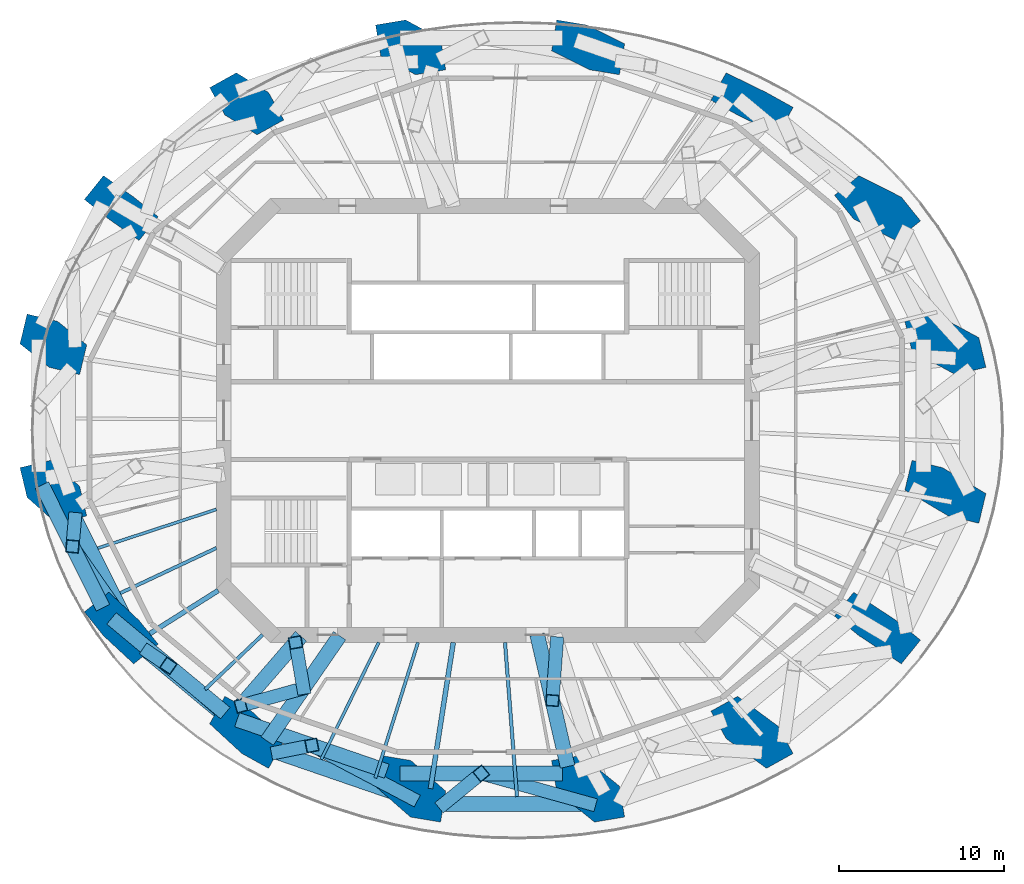
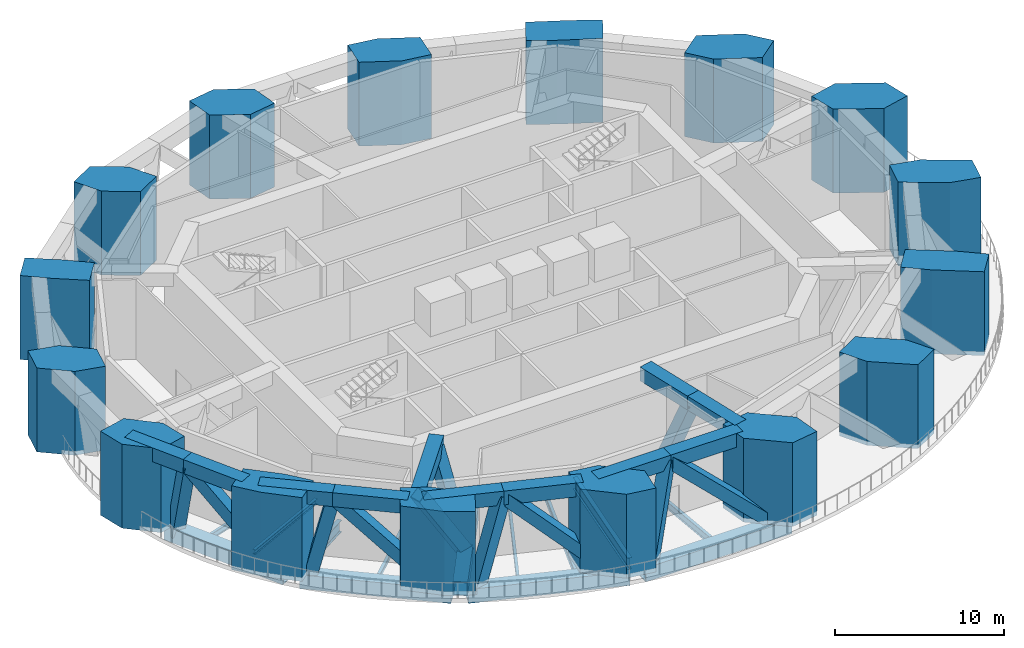
# One storey, part 1 of 11: 28 members, 16 columns, 8 beams.
"""IFC4 building model written with IfcOpenShell, lengths in metres."""

from ifc_helpers import new_model, si_unit, direction, frame, origin, origin_2d, place, context, subcontext, project, spatial, polyline, rectangle, hollow_rectangle, i_section, outline, extrude, material, material_profile, profile_set, type_object, element, save


model = new_model("IFC4")

# Units and contexts
model_context = context("Model", 3, precision=1e-05, world=origin(), true_north=direction((0.0, 1.0)))
body_context = subcontext(model_context, "Body", "Model", "MODEL_VIEW")
ifc_project = project(units=[si_unit("LENGTHUNIT", "METRE"), si_unit("AREAUNIT", "SQUARE_METRE"), si_unit("VOLUMEUNIT", "CUBIC_METRE"), si_unit("PLANEANGLEUNIT", "RADIAN"), si_unit("MASSUNIT", "GRAM", prefix="KILO")], contexts=[model_context])

# Site, building, storey
site_placement = place(None, origin())
site = spatial("IfcSite", under=ifc_project, at=site_placement, CompositionType="ELEMENT")
building_placement = place(site_placement, origin())
building = spatial("IfcBuilding", under=site, at=building_placement, Name="Marenthal Gate Tower", CompositionType="ELEMENT")
storey_placement = place(building_placement, frame((0.0, 0.0, 273.10009765625)))
storey = spatial("IfcBuildingStorey", under=building, at=storey_placement, Name="L61", CompositionType="ELEMENT", Elevation=273.10009765625)

# Columns
ifc_material_1 = material(Name="Steel S460", Category="steel")
ifc_material_profile_1 = material_profile(ifc_material_1, hollow_rectangle(XDim=1.85009765625, YDim=1.89990234375, WallThickness=0.06494140625, at=origin_2d()), Name="CFT BOX 1900X1850X65")
ifc_material_2 = material(Name="Concrete 70 MPa", Category="concrete")
ifc_material_profile_2 = material_profile(ifc_material_2, rectangle(XDim=1.719970703125, YDim=1.77001953125, at=origin_2d()), Name="CFT BOX 1900X1850X65 INFILL")
ifc_profile_set_1 = profile_set([ifc_material_profile_1, ifc_material_profile_2], Name="Steel S460 shell, Concrete 70 MPa infill")
column_type = type_object("IfcColumnType", Name="CFT BOX 1900X1850X65", PredefinedType="COLUMN", material=ifc_profile_set_1)
column_1_placement = place(storey_placement, frame((0.0, 0.0, -0.300048828125)))
element("IfcColumn", 1, at=column_1_placement, inside=storey, type_object=column_type, Name="COL-L61-01", PredefinedType="COLUMN", context=body_context, shape_type="SweptSolid", body=[
    extrude(outline(polyline([(28.338623046875, 2.783447265625), (25.7041015625, 4.21240234375), (25.2734375, 6.011474609375), (27.121337890625, 6.45361328125), (29.755859375, 5.02490234375), (30.186279296875, 3.2255859375), (28.338623046875, 2.783447265625)])), origin(), (0.0, 0.0, 1.0), 6.050048828125),
])
column_2_placement = place(storey_placement, frame((0.0, 0.0, -0.300048828125)))
element("IfcColumn", 2, at=column_2_placement, inside=storey, type_object=column_type, Name="COL-L61-02", PredefinedType="COLUMN", context=body_context, shape_type="SweptSolid", body=[
    extrude(outline(polyline([(24.73828125, 10.910888671875), (22.169921875, 12.2080078125), (21.0107421875, 13.64990234375), (22.491455078125, 14.84033203125), (25.059814453125, 13.543212890625), (26.218994140625, 12.101318359375), (24.73828125, 10.910888671875)])), origin(), (0.0, 0.0, 1.0), 6.050048828125),
])
column_3_placement = place(storey_placement, frame((0.0, 0.0, -0.300048828125)))
element("IfcColumn", 3, at=column_3_placement, inside=storey, type_object=column_type, Name="COL-L61-03", PredefinedType="COLUMN", context=body_context, shape_type="SweptSolid", body=[
    extrude(outline(polyline([(17.581787109375, 17.3173828125), (15.1357421875, 18.513916015625), (13.518310546875, 19.412109375), (14.440673828125, 21.072998046875), (16.88671875, 19.876708984375), (18.504150390625, 18.978515625), (17.581787109375, 17.3173828125)])), origin(), (0.0, 0.0, 1.0), 6.050048828125),
])
column_4_placement = place(storey_placement, frame((0.0, 0.0, -0.300048828125)))
element("IfcColumn", 4, at=column_4_placement, inside=storey, type_object=column_type, Name="COL-L61-04", PredefinedType="COLUMN", context=body_context, shape_type="SweptSolid", body=[
    extrude(outline(polyline([(7.9775390625, 20.956298828125), (6.152099609375, 21.258056640625), (3.86572265625, 22.39990234375), (4.17578125, 24.2744140625), (6.0009765625, 23.972900390625), (8.287353515625, 22.830810546875), (7.9775390625, 20.956298828125)])), origin(), (0.0, 0.0, 1.0), 6.050048828125),
])
column_5_placement = place(storey_placement, frame((0.0, 0.0, -0.300048828125)))
element("IfcColumn", 5, at=column_5_placement, inside=storey, type_object=column_type, Name="COL-L61-05", PredefinedType="COLUMN", context=body_context, shape_type="SweptSolid", body=[
    extrude(outline(polyline([(-4.37744140625, 20.956298828125), (-6.4912109375, 22.098388671875), (-6.801025390625, 23.972900390625), (-4.9755859375, 24.2744140625), (-2.862060546875, 23.132568359375), (-2.55224609375, 21.258056640625), (-4.37744140625, 20.956298828125)])), origin(), (0.0, 0.0, 1.0), 6.050048828125),
])
column_6_placement = place(storey_placement, frame((0.0, 0.0, -0.300048828125)))
element("IfcColumn", 6, at=column_6_placement, inside=storey, type_object=column_type, Name="COL-L61-06", PredefinedType="COLUMN", context=body_context, shape_type="SweptSolid", body=[
    extrude(outline(polyline([(-13.981689453125, 17.3173828125), (-15.935791015625, 18.513916015625), (-16.858154296875, 20.175048828125), (-15.24072265625, 21.072998046875), (-13.286865234375, 19.876708984375), (-12.364501953125, 18.215576171875), (-13.981689453125, 17.3173828125)])), origin(), (0.0, 0.0, 1.0), 6.050048828125),
])
column_7_placement = place(storey_placement, frame((0.0, 0.0, -0.300048828125)))
element("IfcColumn", 7, at=column_7_placement, inside=storey, type_object=column_type, Name="COL-L61-07", PredefinedType="COLUMN", context=body_context, shape_type="SweptSolid", body=[
    extrude(outline(polyline([(-21.13818359375, 10.910888671875), (-22.969970703125, 12.2080078125), (-24.45068359375, 13.398681640625), (-23.29150390625, 14.84033203125), (-21.4599609375, 13.543212890625), (-19.97900390625, 12.3525390625), (-21.13818359375, 10.910888671875)])), origin(), (0.0, 0.0, 1.0), 6.050048828125),
])
column_8_placement = place(storey_placement, frame((0.0, 0.0, -0.300048828125)))
element("IfcColumn", 8, at=column_8_placement, inside=storey, type_object=column_type, Name="COL-L61-08", PredefinedType="COLUMN", context=body_context, shape_type="SweptSolid", body=[
    extrude(outline(polyline([(-24.738525390625, 2.783447265625), (-26.58642578125, 3.2255859375), (-28.351806640625, 4.654541015625), (-27.92138671875, 6.45361328125), (-26.073486328125, 6.011474609375), (-24.30810546875, 4.582763671875), (-24.738525390625, 2.783447265625)])), origin(), (0.0, 0.0, 1.0), 6.050048828125),
])
column_9_placement = place(storey_placement, frame((0.0, 0.0, -0.300048828125)))
element("IfcColumn", 9, at=column_9_placement, inside=storey, type_object=column_type, Name="COL-L61-09", PredefinedType="COLUMN", context=body_context, shape_type="SweptSolid", body=[
    extrude(outline(polyline([(-26.15576171875, -6.224853515625), (-27.92138671875, -4.65380859375), (-28.351806640625, -2.8544921875), (-26.504150390625, -2.412353515625), (-24.738525390625, -3.9833984375), (-24.30810546875, -5.78271484375), (-26.15576171875, -6.224853515625)])), origin(), (0.0, 0.0, 1.0), 6.050048828125),
])
column_10_placement = place(storey_placement, frame((0.0, 0.0, -0.300048828125)))
element("IfcColumn", 10, at=column_10_placement, inside=storey, type_object=column_type, Name="COL-L61-10", PredefinedType="COLUMN", context=body_context, shape_type="SweptSolid", body=[
    extrude(outline(polyline([(-21.4599609375, -14.7431640625), (-23.29150390625, -13.040283203125), (-24.45068359375, -11.5986328125), (-22.969970703125, -10.407958984375), (-21.13818359375, -12.11083984375), (-19.97900390625, -13.552490234375), (-21.4599609375, -14.7431640625)])), origin(), (0.0, 0.0, 1.0), 6.050048828125),
])
column_11_placement = place(storey_placement, frame((0.0, 0.0, -0.300048828125)))
element("IfcColumn", 11, at=column_11_placement, inside=storey, type_object=column_type, Name="COL-L61-11", PredefinedType="COLUMN", context=body_context, shape_type="SweptSolid", body=[
    extrude(outline(polyline([(-13.286865234375, -21.07666015625), (-14.904296875, -20.178466796875), (-16.858154296875, -18.375), (-15.935791015625, -16.7138671875), (-14.318359375, -17.612060546875), (-12.364501953125, -19.41552734375), (-13.286865234375, -21.07666015625)])), origin(), (0.0, 0.0, 1.0), 6.050048828125),
])
column_12_placement = place(storey_placement, frame((0.0, 0.0, -0.300048828125)))
element("IfcColumn", 12, at=column_12_placement, inside=storey, type_object=column_type, Name="COL-L61-12", PredefinedType="COLUMN", context=body_context, shape_type="SweptSolid", body=[
    extrude(outline(polyline([(-2.862060546875, -24.33251953125), (-4.6875, -24.03076171875), (-6.801025390625, -22.1728515625), (-6.4912109375, -20.29833984375), (-4.665771484375, -20.60009765625), (-2.55224609375, -22.4580078125), (-2.862060546875, -24.33251953125)])), origin(), (0.0, 0.0, 1.0), 6.050048828125),
])
column_13_placement = place(storey_placement, frame((0.0, 0.0, -0.300048828125)))
element("IfcColumn", 13, at=column_13_placement, inside=storey, type_object=column_type, Name="COL-L61-13", PredefinedType="COLUMN", context=body_context, shape_type="SweptSolid", body=[
    extrude(outline(polyline([(6.462158203125, -24.33251953125), (4.17578125, -22.474609375), (3.86572265625, -20.60009765625), (5.691162109375, -20.29833984375), (7.9775390625, -22.15625), (8.287353515625, -24.03076171875), (6.462158203125, -24.33251953125)])), origin(), (0.0, 0.0, 1.0), 6.050048828125),
])
column_14_placement = place(storey_placement, frame((0.0, 0.0, -0.300048828125)))
element("IfcColumn", 14, at=column_14_placement, inside=storey, type_object=column_type, Name="COL-L61-14", PredefinedType="COLUMN", context=body_context, shape_type="SweptSolid", body=[
    extrude(outline(polyline([(16.88671875, -21.07666015625), (14.440673828125, -19.273193359375), (13.518310546875, -17.612060546875), (15.1357421875, -16.7138671875), (17.581787109375, -18.517333984375), (18.504150390625, -20.178466796875), (16.88671875, -21.07666015625)])), origin(), (0.0, 0.0, 1.0), 6.050048828125),
])
column_15_placement = place(storey_placement, frame((0.0, 0.0, -0.300048828125)))
element("IfcColumn", 15, at=column_15_placement, inside=storey, type_object=column_type, Name="COL-L61-15", PredefinedType="COLUMN", context=body_context, shape_type="SweptSolid", body=[
    extrude(outline(polyline([(25.059814453125, -14.7431640625), (22.491455078125, -13.040283203125), (21.0107421875, -11.849853515625), (22.169921875, -10.407958984375), (24.73828125, -12.11083984375), (26.218994140625, -13.301513671875), (25.059814453125, -14.7431640625)])), origin(), (0.0, 0.0, 1.0), 6.050048828125),
])
column_16_placement = place(storey_placement, frame((0.0, 0.0, -0.300048828125)))
element("IfcColumn", 16, at=column_16_placement, inside=storey, type_object=column_type, Name="COL-L61-16", PredefinedType="COLUMN", context=body_context, shape_type="SweptSolid", body=[
    extrude(outline(polyline([(29.755859375, -6.224853515625), (27.907958984375, -5.78271484375), (25.2734375, -4.21142578125), (25.7041015625, -2.412353515625), (27.552001953125, -2.8544921875), (30.186279296875, -4.42578125), (29.755859375, -6.224853515625)])), origin(), (0.0, 0.0, 1.0), 6.050048828125),
])

# Beams
ifc_material_3 = material(Name="Steel S355", Category="steel")
ifc_material_profile_3 = material_profile(ifc_material_3, i_section(OverallWidth=0.205078125, OverallDepth=0.31005859375, WebThickness=0.009521484375, FlangeThickness=0.016357421875, FilletRadius=0.0126953125, at=origin_2d()), Name="W310X74")
ifc_profile_set_2 = profile_set([ifc_material_profile_3], Name="Steel S355")
beam_type_1 = type_object("IfcBeamType", Name="W310X74 beam", PredefinedType="BEAM", material=ifc_profile_set_2)
beam_1_placement = place(storey_placement, frame((-17.138427734375, -16.2998046875, -0.455078125), z_axis=(0.724619245971, 0.689149438343, 0.0), x_axis=(-0.689149438343, 0.724619245971, 0.0)))
element("IfcBeam", 17, at=beam_1_placement, inside=storey, type_object=beam_type_1, Name="BM-L61-23", PredefinedType="BEAM", context=body_context, shape_type="SweptSolid", body=[
    extrude(i_section(OverallWidth=0.205078125, OverallDepth=0.31005859375, WebThickness=0.009521484375, FlangeThickness=0.016357421875, FilletRadius=0.0126953125, at=origin_2d()), origin(), (0.0, 0.0, 1.0), 4.811279296875),
])
ifc_material_4 = material(Name="Steel S355", Category="steel")
ifc_material_profile_4 = material_profile(ifc_material_4, i_section(OverallWidth=0.205078125, OverallDepth=0.35302734375, WebThickness=0.009521484375, FlangeThickness=0.016845703125, FilletRadius=0.014892578125, at=origin_2d()), Name="W360X79")
ifc_profile_set_3 = profile_set([ifc_material_profile_4], Name="Steel S355")
beam_type_2 = type_object("IfcBeamType", Name="W360X79 beam", PredefinedType="BEAM", material=ifc_profile_set_3)
beam_2_placement = place(storey_placement, frame((-22.2744140625, -10.46142578125, -0.4765625), z_axis=(0.905137446229, 0.425119046192, 0.0), x_axis=(-0.425119046192, 0.905137446229, 0.0)))
element("IfcBeam", 18, at=beam_2_placement, inside=storey, type_object=beam_type_2, Name="BM-L61-22", PredefinedType="BEAM", context=body_context, shape_type="SweptSolid", body=[
    extrude(i_section(OverallWidth=0.205078125, OverallDepth=0.35302734375, WebThickness=0.009521484375, FlangeThickness=0.016845703125, FilletRadius=0.014892578125, at=origin_2d()), origin(), (0.0, 0.0, 1.0), 6.434814453125),
])
ifc_material_5 = material(Name="Steel S355", Category="steel")
ifc_material_profile_5 = material_profile(ifc_material_5, i_section(OverallWidth=0.180908203125, OverallDepth=0.4169921875, WebThickness=0.010986328125, FlangeThickness=0.018310546875, FilletRadius=0.01025390625, at=origin_2d()), Name="W410X85")
ifc_profile_set_4 = profile_set([ifc_material_profile_5], Name="Steel S355")
beam_type_3 = type_object("IfcBeamType", Name="W410X85 beam", PredefinedType="BEAM", material=ifc_profile_set_4)
beam_3_placement = place(storey_placement, frame((-23.63232421875, -7.737060546875, -0.508544921875), z_axis=(0.950359271321, 0.311154712987, 0.0), x_axis=(-0.311154712987, 0.950359271321, 0.0)))
element("IfcBeam", 19, at=beam_3_placement, inside=storey, type_object=beam_type_3, Name="BM-L61-21", PredefinedType="BEAM", context=body_context, shape_type="SweptSolid", body=[
    extrude(i_section(OverallWidth=0.180908203125, OverallDepth=0.4169921875, WebThickness=0.010986328125, FlangeThickness=0.018310546875, FilletRadius=0.01025390625, at=origin_2d()), origin(), (0.0, 0.0, 1.0), 7.5576171875),
])
beam_4_placement = place(storey_placement, frame((-10.09619140625, -20.5390625, -0.508544921875), z_axis=(0.441158086918, 0.897429408002, 0.0), x_axis=(-0.897429408002, 0.441158086918, 0.0)))
element("IfcBeam", 20, at=beam_4_placement, inside=storey, type_object=beam_type_3, Name="BM-L61-24", PredefinedType="BEAM", context=body_context, shape_type="SweptSolid", body=[
    extrude(i_section(OverallWidth=0.180908203125, OverallDepth=0.4169921875, WebThickness=0.010986328125, FlangeThickness=0.018310546875, FilletRadius=0.01025390625, at=origin_2d()), origin(), (0.0, 0.0, 1.0), 7.8994140625),
])
ifc_material_6 = material(Name="Steel S355", Category="steel")
ifc_material_profile_6 = material_profile(ifc_material_6, i_section(OverallWidth=0.193115234375, OverallDepth=0.467041015625, WebThickness=0.011474609375, FlangeThickness=0.01904296875, FilletRadius=0.010009765625, at=origin_2d()), Name="W460X97")
ifc_profile_set_5 = profile_set([ifc_material_profile_6], Name="Steel S355")
beam_type_4 = type_object("IfcBeamType", Name="W460X97 beam", PredefinedType="BEAM", material=ifc_profile_set_5)
beam_5_placement = place(storey_placement, frame((-6.82275390625, -21.666015625, -0.53369140625), z_axis=(0.30035129789, 0.953828652251, 0.0), x_axis=(-0.953828652251, 0.30035129789, 0.0)))
element("IfcBeam", 21, at=beam_5_placement, inside=storey, type_object=beam_type_4, Name="BM-L61-25", PredefinedType="BEAM", context=body_context, shape_type="SweptSolid", body=[
    extrude(i_section(OverallWidth=0.193115234375, OverallDepth=0.467041015625, WebThickness=0.011474609375, FlangeThickness=0.01904296875, FilletRadius=0.010009765625, at=origin_2d()), origin(), (0.0, 0.0, 1.0), 8.61376953125),
])
ifc_material_7 = material(Name="Steel S355", Category="steel")
ifc_material_profile_7 = material_profile(ifc_material_7, i_section(OverallWidth=0.2099609375, OverallDepth=0.535888671875, WebThickness=0.010986328125, FlangeThickness=0.017333984375, FilletRadius=0.0126953125, at=origin_2d()), Name="W530X101")
ifc_profile_set_6 = profile_set([ifc_material_profile_7], Name="Steel S355")
beam_type_5 = type_object("IfcBeamType", Name="W530X101 beam", PredefinedType="BEAM", material=ifc_profile_set_6)
beam_6_placement = place(storey_placement, frame((1.76513671875, -22.79443359375, -0.568115234375), z_axis=(-0.077208422848, 0.997014974532, 0.0), x_axis=(-0.997014974532, -0.077208422848, 0.0)))
element("IfcBeam", 22, at=beam_6_placement, inside=storey, type_object=beam_type_5, Name="BM-L61-26", PredefinedType="BEAM", context=body_context, shape_type="SweptSolid", body=[
    extrude(i_section(OverallWidth=0.2099609375, OverallDepth=0.535888671875, WebThickness=0.010986328125, FlangeThickness=0.017333984375, FilletRadius=0.0126953125, at=origin_2d()), origin(), (0.0, 0.0, 1.0), 9.37255859375),
])
ifc_material_8 = material(Name="Steel S355", Category="steel")
ifc_material_profile_8 = material_profile(ifc_material_8, i_section(OverallWidth=0.2919921875, OverallDepth=0.841064453125, WebThickness=0.0146484375, FlangeThickness=0.021728515625, FilletRadius=0.017822265625, at=origin_2d()), Name="W840X193")
ifc_profile_set_7 = profile_set([ifc_material_profile_8], Name="Steel S355")
beam_type_6 = type_object("IfcBeamType", Name="W840X193 beam", PredefinedType="BEAM", material=ifc_profile_set_7)
beam_7_placement = place(storey_placement, frame((-20.489990234375, -12.9169921875, -0.720703125), z_axis=(0.845927065854, 0.533298602337, 0.0), x_axis=(-0.533298602337, 0.845927065854, 0.0)))
element("IfcBeam", 23, at=beam_7_placement, inside=storey, type_object=beam_type_6, Name="BM-L61-05", PredefinedType="BEAM", context=body_context, shape_type="SweptSolid", body=[
    extrude(i_section(OverallWidth=0.2919921875, OverallDepth=0.841064453125, WebThickness=0.0146484375, FlangeThickness=0.021728515625, FilletRadius=0.017822265625, at=origin_2d()), origin(), (0.0, 0.0, 1.0), 4.908935546875),
])
beam_8_placement = place(storey_placement, frame((-3.4736328125, -22.3056640625, -0.720703125), z_axis=(0.15388076953, 0.988089423468, 0.0), x_axis=(-0.988089423468, 0.15388076953, 0.0)))
element("IfcBeam", 24, at=beam_8_placement, inside=storey, type_object=beam_type_6, Name="BM-L61-06", PredefinedType="BEAM", context=body_context, shape_type="SweptSolid", body=[
    extrude(i_section(OverallWidth=0.2919921875, OverallDepth=0.841064453125, WebThickness=0.0146484375, FlangeThickness=0.021728515625, FilletRadius=0.017822265625, at=origin_2d()), origin(), (0.0, 0.0, 1.0), 8.96240234375),
])

# Members
ifc_material_9 = material(Name="Steel S460", Category="steel")
ifc_material_profile_9 = material_profile(ifc_material_9, hollow_rectangle(XDim=0.89990234375, YDim=1.0, WallThickness=0.06005859375, at=origin_2d()), Name="BOX 1000X900X60")
ifc_profile_set_8 = profile_set([ifc_material_profile_9], Name="Steel S460")
member_type_1 = type_object("IfcMemberType", Name="belt chord BOX 1000X900X60", PredefinedType="CHORD", material=ifc_profile_set_8)
member_1_placement = place(storey_placement, frame((-25.24658203125, -5.506591796875, -0.800048828125), z_axis=(0.446074295106, -0.894995934765, 0.0), x_axis=(0.894995934765, 0.446074295106, 0.0)))
element("IfcMember", 25, at=member_1_placement, inside=storey, type_object=member_type_1, Name="BT-L61-41", PredefinedType="CHORD", context=body_context, shape_type="SweptSolid", body=[
    extrude(hollow_rectangle(XDim=0.89990234375, YDim=1.0, WallThickness=0.06005859375, at=origin_2d()), origin(), (0.0, 0.0, 1.0), 8.40283203125),
])
member_2_placement = place(storey_placement, frame((-27.023681640625, -3.912353515625, 5.25), z_axis=(0.446037569832, -0.895014238042, 0.0), x_axis=(0.895014238042, 0.446037569832, 0.0)))
element("IfcMember", 26, at=member_2_placement, inside=storey, type_object=member_type_1, Name="BT-L61-42", PredefinedType="CHORD", context=body_context, shape_type="SweptSolid", body=[
    extrude(hollow_rectangle(XDim=0.89990234375, YDim=1.0, WallThickness=0.06005859375, at=origin_2d()), origin(), (0.0, 0.0, 1.0), 4.1533203125),
])
member_3_placement = place(storey_placement, frame((-25.171142578125, -7.629638671875, 5.25), z_axis=(0.446014104566, -0.895025931763, 0.0), x_axis=(0.895025931763, 0.446014104566, 0.0)))
element("IfcMember", 27, at=member_3_placement, inside=storey, type_object=member_type_1, Name="BT-L61-43", PredefinedType="CHORD", context=body_context, shape_type="SweptSolid", body=[
    extrude(hollow_rectangle(XDim=0.89990234375, YDim=1.0, WallThickness=0.06005859375, at=origin_2d()), origin(), (0.0, 0.0, 1.0), 4.153564453125),
])
member_4_placement = place(storey_placement, frame((-20.957763671875, -13.710693359375, -0.800048828125), z_axis=(0.769082206984, -0.639149872018, 0.0), x_axis=(0.639149872018, 0.769082206984, 0.0)))
element("IfcMember", 28, at=member_4_placement, inside=storey, type_object=member_type_1, Name="BT-L61-46", PredefinedType="CHORD", context=body_context, shape_type="SweptSolid", body=[
    extrude(hollow_rectangle(XDim=0.89990234375, YDim=1.0, WallThickness=0.06005859375, at=origin_2d()), origin(), (0.0, 0.0, 1.0), 9.0810546875),
])
for number, where, z_axis, x_axis, name in (
    (29, (-22.80908203125, -11.99169921875, 5.25), (0.769059100562, -0.639177674706, 0.0), (0.639177674706, 0.769059100562, 0.0), "BT-L61-47"),
    (30, (-19.3583984375, -14.859619140625, 5.25), (0.769010120989, -0.639236602376, 0.0), (0.639236602376, 0.769010120989, 0.0), "BT-L61-48"),
):
    element("IfcMember", number, at=place(storey_placement, frame(where, z_axis=z_axis, x_axis=x_axis)), inside=storey, type_object=member_type_1, Name=name, PredefinedType="CHORD", context=body_context, shape_type="SweptSolid", body=[
        extrude(hollow_rectangle(XDim=0.89990234375, YDim=1.0, WallThickness=0.06005859375, at=origin_2d()), origin(), (0.0, 0.0, 1.0), 4.48681640625),
    ])
member_5_placement = place(storey_placement, frame((-13.21875, -19.93994140625, -0.800048828125), z_axis=(0.945538727214, -0.325509624034, 0.0), x_axis=(0.325509624034, 0.945538727214, 0.0)))
element("IfcMember", 31, at=member_5_placement, inside=storey, type_object=member_type_1, Name="BT-L61-51", PredefinedType="CHORD", context=body_context, shape_type="SweptSolid", body=[
    extrude(hollow_rectangle(XDim=0.89990234375, YDim=1.0, WallThickness=0.06005859375, at=origin_2d()), origin(), (0.0, 0.0, 1.0), 9.713623046875),
])
member_6_placement = place(storey_placement, frame((-15.19677734375, -18.128173828125, 5.25), z_axis=(0.945523207391, -0.325554702448, 0.0), x_axis=(0.325554702448, 0.945523207391, 0.0)))
element("IfcMember", 32, at=member_6_placement, inside=storey, type_object=member_type_1, Name="BT-L61-52", PredefinedType="CHORD", context=body_context, shape_type="SweptSolid", body=[
    extrude(hollow_rectangle(XDim=0.89990234375, YDim=1.0, WallThickness=0.06005859375, at=origin_2d()), origin(), (0.0, 0.0, 1.0), 4.798095703125),
])
member_7_placement = place(storey_placement, frame((-10.66015625, -19.690185546875, 5.25), z_axis=(0.945533477653, -0.325524872533, 0.0), x_axis=(0.325524872533, 0.945533477653, 0.0)))
element("IfcMember", 33, at=member_7_placement, inside=storey, type_object=member_type_1, Name="BT-L61-53", PredefinedType="CHORD", context=body_context, shape_type="SweptSolid", body=[
    extrude(hollow_rectangle(XDim=0.89990234375, YDim=1.0, WallThickness=0.06005859375, at=origin_2d()), origin(), (0.0, 0.0, 1.0), 4.797607421875),
])
member_8_placement = place(storey_placement, frame((-3.18212890625, -23.244384765625, -0.800048828125), z_axis=(1.0, 0.0, 0.0), x_axis=(0.0, 1.0, 0.0)))
element("IfcMember", 34, at=member_8_placement, inside=storey, type_object=member_type_1, Name="BT-L61-56", PredefinedType="CHORD", context=body_context, shape_type="SweptSolid", body=[
    extrude(hollow_rectangle(XDim=0.89990234375, YDim=1.0, WallThickness=0.06005859375, at=origin_2d()), origin(), (0.0, 0.0, 1.0), 9.96435546875),
])
member_9_placement = place(storey_placement, frame((-5.3212890625, -21.386474609375, 5.25), z_axis=(1.0, 0.0, 0.0), x_axis=(0.0, 1.0, 0.0)))
element("IfcMember", 35, at=member_9_placement, inside=storey, type_object=member_type_1, Name="BT-L61-57", PredefinedType="CHORD", context=body_context, shape_type="SweptSolid", body=[
    extrude(hollow_rectangle(XDim=0.89990234375, YDim=1.0, WallThickness=0.06005859375, at=origin_2d()), origin(), (0.0, 0.0, 1.0), 4.92138671875),
])
member_10_placement = place(storey_placement, frame((-0.39990234375, -21.386474609375, 5.25), z_axis=(1.0, 0.0, 0.0), x_axis=(0.0, 1.0, 0.0)))
element("IfcMember", 36, at=member_10_placement, inside=storey, type_object=member_type_1, Name="BT-L61-58", PredefinedType="CHORD", context=body_context, shape_type="SweptSolid", body=[
    extrude(hollow_rectangle(XDim=0.89990234375, YDim=1.0, WallThickness=0.06005859375, at=origin_2d()), origin(), (0.0, 0.0, 1.0), 4.921142578125),
])
ifc_material_10 = material(Name="Steel S355", Category="steel")
ifc_material_profile_10 = material_profile(ifc_material_10, hollow_rectangle(XDim=0.800048828125, YDim=0.800048828125, WallThickness=0.044921875, at=origin_2d()), Name="BOX 800X800X45")
ifc_profile_set_9 = profile_set([ifc_material_profile_10], Name="Steel S355")
member_type_2 = type_object("IfcMemberType", Name="belt diagonal BOX 800X800X45", PredefinedType="BRACE", material=ifc_profile_set_9)
member_11_placement = place(storey_placement, frame((-25.023681640625, -5.9541015625, -0.800048828125), z_axis=(-0.023482869003, -0.266826042992, 0.963458570798), x_axis=(0.996149634602, -0.087669296124, 0.0)))
element("IfcMember", 37, at=member_11_placement, inside=storey, type_object=member_type_2, Name="BT-L61-44", PredefinedType="BRACE", context=body_context, shape_type="SweptSolid", body=[
    extrude(hollow_rectangle(XDim=0.800048828125, YDim=0.800048828125, WallThickness=0.044921875, at=origin_2d()), origin(), (0.0, 0.0, 1.0), 6.279541015625),
])
member_12_placement = place(storey_placement, frame((-25.171142578125, -7.629638671875, 5.25), z_axis=(0.403742221358, -0.57932579887, -0.708077564577), x_axis=(0.820418298489, 0.571763775963, 0.0)))
element("IfcMember", 38, at=member_12_placement, inside=storey, type_object=member_type_2, Name="BT-L61-45", PredefinedType="BRACE", context=body_context, shape_type="SweptSolid", body=[
    extrude(hollow_rectangle(XDim=0.800048828125, YDim=0.800048828125, WallThickness=0.044921875, at=origin_2d()), origin(), (0.0, 0.0, 1.0), 8.54443359375),
])
member_13_placement = place(storey_placement, frame((-20.5732421875, -14.0302734375, -0.800048828125), z_axis=(0.195115029708, -0.133200513649, 0.971693237779), x_axis=(0.563820844433, 0.825897121549, 0.0)))
element("IfcMember", 39, at=member_13_placement, inside=storey, type_object=member_type_2, Name="BT-L61-49", PredefinedType="BRACE", context=body_context, shape_type="SweptSolid", body=[
    extrude(hollow_rectangle(XDim=0.800048828125, YDim=0.800048828125, WallThickness=0.044921875, at=origin_2d()), origin(), (0.0, 0.0, 1.0), 6.226318359375),
])
member_14_placement = place(storey_placement, frame((-19.3583984375, -14.859619140625, 5.25), z_axis=(0.557638827649, -0.483526582697, -0.674715482055), x_axis=(0.655115901154, 0.755528395267, 0.0)))
element("IfcMember", 40, at=member_14_placement, inside=storey, type_object=member_type_2, Name="BT-L61-50", PredefinedType="BRACE", context=body_context, shape_type="SweptSolid", body=[
    extrude(hollow_rectangle(XDim=0.800048828125, YDim=0.800048828125, WallThickness=0.044921875, at=origin_2d()), origin(), (0.0, 0.0, 1.0), 8.966796875),
])
member_15_placement = place(storey_placement, frame((-12.74609375, -20.102783203125, -0.800048828125), z_axis=(0.325275364514, 0.064339345275, 0.943427997194), x_axis=(-0.194040163803, 0.98099358552, 0.0)))
element("IfcMember", 41, at=member_15_placement, inside=storey, type_object=member_type_2, Name="BT-L61-54", PredefinedType="BRACE", context=body_context, shape_type="SweptSolid", body=[
    extrude(hollow_rectangle(XDim=0.800048828125, YDim=0.800048828125, WallThickness=0.044921875, at=origin_2d()), origin(), (0.0, 0.0, 1.0), 6.412841796875),
])
member_16_placement = place(storey_placement, frame((-10.66015625, -19.690185546875, 5.25), z_axis=(0.667338831568, -0.35233605109, -0.656138850384), x_axis=(0.466892776229, 0.884313934927, 0.0)))
element("IfcMember", 42, at=member_16_placement, inside=storey, type_object=member_type_2, Name="BT-L61-55", PredefinedType="BRACE", context=body_context, shape_type="SweptSolid", body=[
    extrude(hollow_rectangle(XDim=0.800048828125, YDim=0.800048828125, WallThickness=0.044921875, at=origin_2d()), origin(), (0.0, 0.0, 1.0), 9.220703125),
])
member_17_placement = place(storey_placement, frame((-2.68212890625, -23.244384765625, -0.800048828125), z_axis=(0.33922260887, 0.27615362147, 0.89925925015), x_axis=(-0.631329420376, 0.775514772888, 0.0)))
element("IfcMember", 43, at=member_17_placement, inside=storey, type_object=member_type_2, Name="BT-L61-59", PredefinedType="BRACE", context=body_context, shape_type="SweptSolid", body=[
    extrude(hollow_rectangle(XDim=0.800048828125, YDim=0.800048828125, WallThickness=0.044921875, at=origin_2d()), origin(), (0.0, 0.0, 1.0), 6.727783203125),
])
member_18_placement = place(storey_placement, frame((-0.39990234375, -21.386474609375, 5.25), z_axis=(0.72603633869, -0.201868342617, -0.657358659447), x_axis=(0.267879874155, 0.963452320057, 0.0)))
element("IfcMember", 44, at=member_18_placement, inside=storey, type_object=member_type_2, Name="BT-L61-60", PredefinedType="BRACE", context=body_context, shape_type="SweptSolid", body=[
    extrude(hollow_rectangle(XDim=0.800048828125, YDim=0.800048828125, WallThickness=0.044921875, at=origin_2d()), origin(), (0.0, 0.0, 1.0), 9.20361328125),
])
ifc_material_11 = material(Name="Steel S460", Category="steel")
ifc_material_profile_11 = material_profile(ifc_material_11, hollow_rectangle(XDim=0.89990234375, YDim=1.0, WallThickness=0.06005859375, at=origin_2d()), Name="BOX 1000X900X60")
ifc_profile_set_10 = profile_set([ifc_material_profile_11], Name="Steel S460")
member_type_3 = type_object("IfcMemberType", Name="outrigger chord BOX 1000X900X60", PredefinedType="CHORD", material=ifc_profile_set_10)
member_19_placement = place(storey_placement, frame((-13.376708984375, -19.4228515625, -0.800048828125), z_axis=(0.567223604645, 0.823563830151, 0.0), x_axis=(-0.823563830151, 0.567223604645, 0.0)))
element("IfcMember", 45, at=member_19_placement, inside=storey, type_object=member_type_3, Name="OR-L61-106", PredefinedType="CHORD", context=body_context, shape_type="SweptSolid", body=[
    extrude(hollow_rectangle(XDim=0.89990234375, YDim=1.0, WallThickness=0.06005859375, at=origin_2d()), origin(), (0.0, 0.0, 1.0), 3.876220703125),
])
member_20_placement = place(storey_placement, frame((-11.177978515625, -16.23046875, -0.800048828125), z_axis=(0.567210306936, 0.823572988694, 0.0), x_axis=(-0.823572988694, 0.567210306936, 0.0)))
element("IfcMember", 46, at=member_20_placement, inside=storey, type_object=member_type_3, Name="OR-L61-107", PredefinedType="CHORD", context=body_context, shape_type="SweptSolid", body=[
    extrude(hollow_rectangle(XDim=0.89990234375, YDim=1.0, WallThickness=0.06005859375, at=origin_2d()), origin(), (0.0, 0.0, 1.0), 3.8759765625),
])
member_21_placement = place(storey_placement, frame((-15.296630859375, -17.656982421875, 5.25), z_axis=(0.654769639888, 0.755828498193, 0.0), x_axis=(-0.755828498193, 0.654769639888, 0.0)))
element("IfcMember", 47, at=member_21_placement, inside=storey, type_object=member_type_3, Name="OR-L61-108", PredefinedType="CHORD", context=body_context, shape_type="SweptSolid", body=[
    extrude(hollow_rectangle(XDim=0.89990234375, YDim=1.0, WallThickness=0.06005859375, at=origin_2d()), origin(), (0.0, 0.0, 1.0), 6.066162109375),
])
member_22_placement = place(storey_placement, frame((4.83740234375, -20.970458984375, 5.25), z_axis=(-0.224768379881, 0.974412220472, 0.0), x_axis=(-0.974412220472, -0.224768379881, 0.0)))
element("IfcMember", 48, at=member_22_placement, inside=storey, type_object=member_type_3, Name="OR-L61-112", PredefinedType="CHORD", context=body_context, shape_type="SweptSolid", body=[
    extrude(hollow_rectangle(XDim=0.89990234375, YDim=1.0, WallThickness=0.06005859375, at=origin_2d()), origin(), (0.0, 0.0, 1.0), 4.109130859375),
])
member_23_placement = place(storey_placement, frame((3.913818359375, -16.966552734375, 5.25), z_axis=(-0.224781393596, 0.974409218498, 0.0), x_axis=(-0.974409218498, -0.224781393596, 0.0)))
element("IfcMember", 49, at=member_23_placement, inside=storey, type_object=member_type_3, Name="OR-L61-113", PredefinedType="CHORD", context=body_context, shape_type="SweptSolid", body=[
    extrude(hollow_rectangle(XDim=0.89990234375, YDim=1.0, WallThickness=0.06005859375, at=origin_2d()), origin(), (0.0, 0.0, 1.0), 4.10888671875),
])
ifc_material_12 = material(Name="Steel S355", Category="steel")
ifc_material_profile_12 = material_profile(ifc_material_12, hollow_rectangle(XDim=0.800048828125, YDim=0.800048828125, WallThickness=0.044921875, at=origin_2d()), Name="BOX 800X800X45")
ifc_profile_set_11 = profile_set([ifc_material_profile_12], Name="Steel S355")
member_type_4 = type_object("IfcMemberType", Name="outrigger diagonal BOX 800X800X45", PredefinedType="BRACE", material=ifc_profile_set_11)
member_24_placement = place(storey_placement, frame((-14.96923828125, -17.279052734375, 5.25), z_axis=(0.525367989442, 0.145305912464, -0.838376208794), x_axis=(-0.266571334178, 0.963815191722, 0.0)))
element("IfcMember", 50, at=member_24_placement, inside=storey, type_object=member_type_4, Name="OR-L61-109", PredefinedType="BRACE", context=body_context, shape_type="SweptSolid", body=[
    extrude(hollow_rectangle(XDim=0.800048828125, YDim=0.800048828125, WallThickness=0.044921875, at=origin_2d()), origin(), (0.0, 0.0, 1.0), 7.21630859375),
])
member_25_placement = place(storey_placement, frame((-11.177978515625, -16.23046875, -0.800048828125), z_axis=(-0.071026560097, 0.416540418614, 0.906338406679), x_axis=(-0.985771776103, -0.16808927818, 0.0)))
element("IfcMember", 51, at=member_25_placement, inside=storey, type_object=member_type_4, Name="OR-L61-110", PredefinedType="BRACE", context=body_context, shape_type="SweptSolid", body=[
    extrude(hollow_rectangle(XDim=0.800048828125, YDim=0.800048828125, WallThickness=0.044921875, at=origin_2d()), origin(), (0.0, 0.0, 1.0), 6.67529296875),
])
member_26_placement = place(storey_placement, frame((3.913818359375, -16.966552734375, 5.25), z_axis=(0.037652391086, 0.502171334448, -0.8639480588), x_axis=(-0.997200858655, 0.07476929515, 0.0)))
element("IfcMember", 52, at=member_26_placement, inside=storey, type_object=member_type_4, Name="OR-L61-115", PredefinedType="BRACE", context=body_context, shape_type="SweptSolid", body=[
    extrude(hollow_rectangle(XDim=0.800048828125, YDim=0.800048828125, WallThickness=0.044921875, at=origin_2d()), origin(), (0.0, 0.0, 1.0), 7.002685546875),
])

save(model, "model.ifc")
